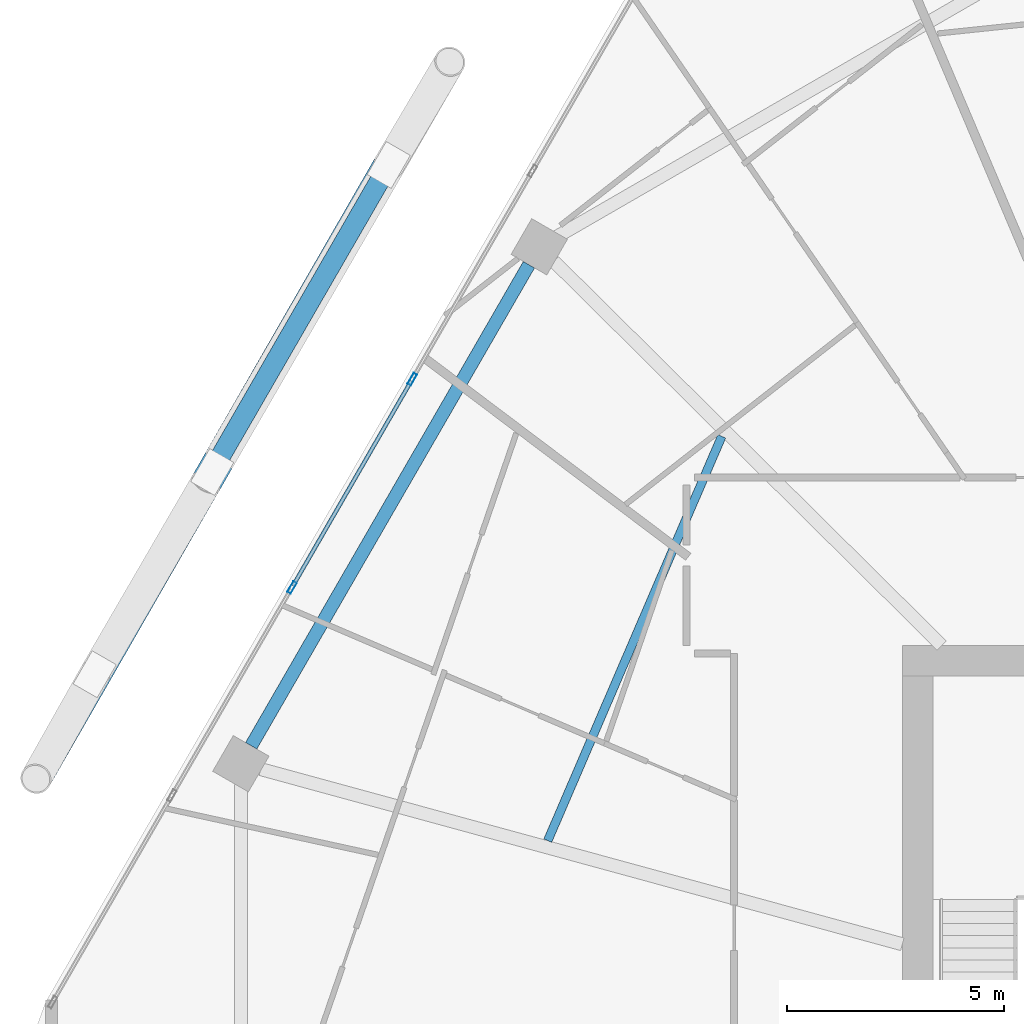
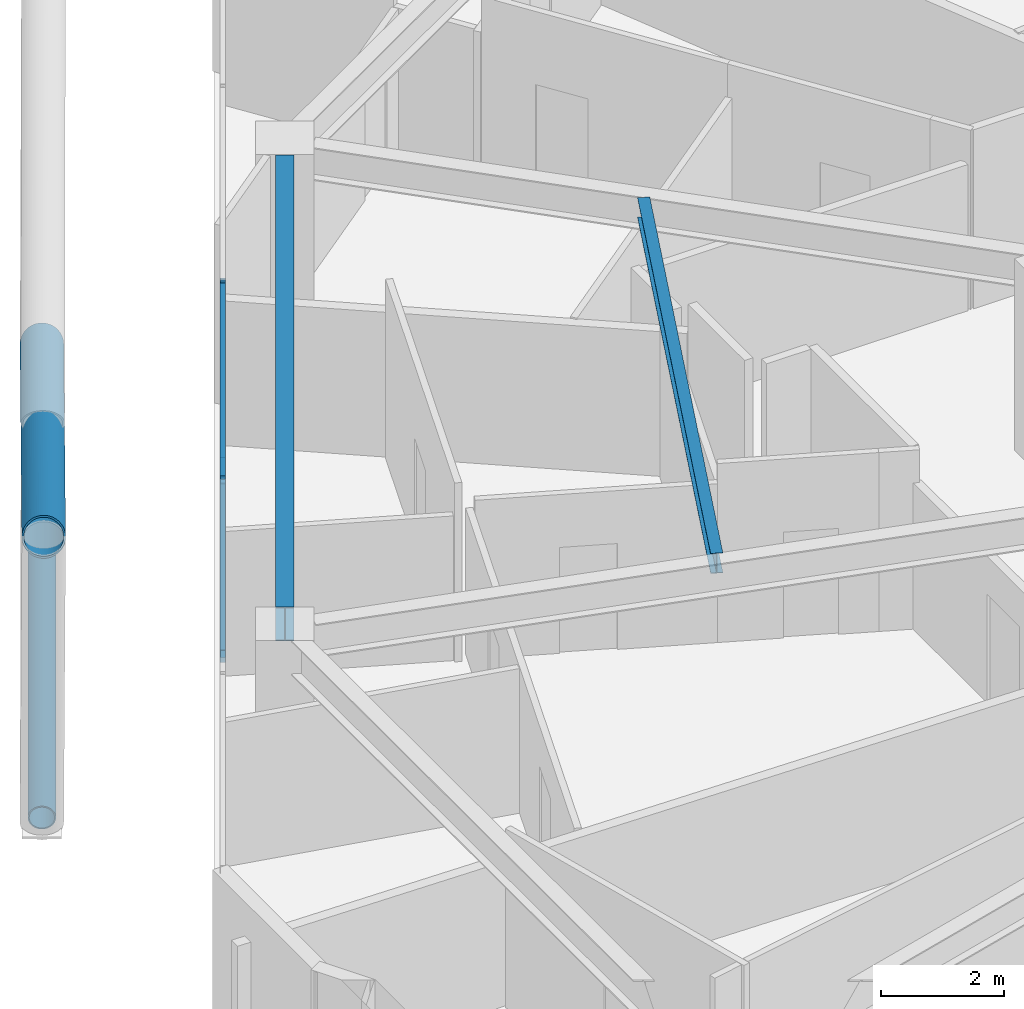
# One storey, part 11 of 27: 6 members, 2 beams, 1 element without a shape of its own.
"""IFC4 building model written with IfcOpenShell, lengths in metres."""

from ifc_helpers import new_model, si_unit, direction, frame, origin, origin_2d, place, context, subcontext, project, spatial, hollow_rectangle, hollow_circle, i_section, extrude, material, material_profile, profile_set, type_object, element, aggregate, save


model = new_model("IFC4")

# Units and contexts
model_context = context("Model", 3, precision=1e-05, world=origin(), true_north=direction((0.0, 1.0)))
body_context = subcontext(model_context, "Body", "Model", "MODEL_VIEW")
ifc_project = project(units=[si_unit("LENGTHUNIT", "METRE"), si_unit("AREAUNIT", "SQUARE_METRE"), si_unit("VOLUMEUNIT", "CUBIC_METRE"), si_unit("PLANEANGLEUNIT", "RADIAN"), si_unit("MASSUNIT", "GRAM", prefix="KILO")], contexts=[model_context])

# Site, building, storey
site_placement = place(None, origin())
site = spatial("IfcSite", under=ifc_project, at=site_placement, CompositionType="ELEMENT")
building_placement = place(site_placement, origin())
building = spatial("IfcBuilding", under=site, at=building_placement, Name="Zuhravey Tower", CompositionType="ELEMENT")
storey_placement = place(building_placement, frame((0.0, 0.0, 215.0)))
storey = spatial("IfcBuildingStorey", under=building, at=storey_placement, Name="L54", CompositionType="ELEMENT", Elevation=215.0)

# Curtain wall, members
ifc_material_1 = material(Name="Thermally broken anodised aluminium", Category="aluminium")
curtain_wall_type = type_object("IfcCurtainWallType", Name="Zone 1-2 Residential Curtain Wall CW3", PredefinedType="NOTDEFINED", material=ifc_material_1)
curtain_wall_placement = place(storey_placement, origin())
curtain_wall = element("IfcCurtainWall", 1, at=curtain_wall_placement, inside=storey, type_object=curtain_wall_type, Name="L54 CW3 CW-L54-F3-1", PredefinedType="NOTDEFINED")
ifc_material_2 = material(Name="Anodised aluminium", Category="aluminium")
ifc_material_profile_1 = material_profile(ifc_material_2, hollow_rectangle(XDim=0.090087890625, YDim=0.284912109375, WallThickness=0.0048828125, at=origin_2d()), Name="ALU-RHS-90x285x5")
ifc_profile_set_1 = profile_set([ifc_material_profile_1], Name="Anodised aluminium")
member_type_1 = type_object("IfcMemberType", Name="Curtain-Wall Mullion 90x180", PredefinedType="MULLION", material=ifc_profile_set_1)
member_1_placement = place(storey_placement, frame((11.07275390625, 43.190673828125, 0.0), z_axis=(0.0, 0.0, 1.0), x_axis=(-0.866025138215, 0.500000459979, 0.0)))
member_1 = element("IfcMember", 2, at=member_1_placement, type_object=member_type_1, Name="CW3 mullion 3", PredefinedType="MULLION", context=body_context, shape_type="SweptSolid", body=[
    extrude(hollow_rectangle(XDim=0.090087890625, YDim=0.284912109375, WallThickness=0.0048828125, at=origin_2d()), origin(), (0.0, 0.0, 1.0), 3.550048828125),
])
member_2_placement = place(storey_placement, frame((13.844970703125, 47.992431640625, 0.0), z_axis=(0.0, 0.0, 1.0), x_axis=(-0.866025138215, 0.500000459979, 0.0)))
member_2 = element("IfcMember", 3, at=member_2_placement, type_object=member_type_1, Name="CW3 mullion 4", PredefinedType="MULLION", context=body_context, shape_type="SweptSolid", body=[
    extrude(hollow_rectangle(XDim=0.090087890625, YDim=0.284912109375, WallThickness=0.0048828125, at=origin_2d()), origin(), (0.0, 0.0, 1.0), 3.550048828125),
])
ifc_material_profile_2 = material_profile(ifc_material_2, hollow_rectangle(XDim=0.090087890625, YDim=0.14990234375, WallThickness=0.0048828125, at=origin_2d()), Name="ALU-RHS-90x150x5")
ifc_profile_set_2 = profile_set([ifc_material_profile_2], Name="Anodised aluminium")
member_type_2 = type_object("IfcMemberType", Name="Curtain-Wall Transom 90x150", PredefinedType="USERDEFINED", material=ifc_profile_set_2)
member_3_placement = place(storey_placement, frame((11.09521484375, 43.229736328125, 0.044921875), z_axis=(0.499980763544, 0.866036509673, 0.0), x_axis=(-0.866036509673, 0.499980763544, 0.0)))
member_3 = element("IfcMember", 4, at=member_3_placement, type_object=member_type_2, Name="CW3 transom 3.1", ObjectType="TRANSOM", PredefinedType="USERDEFINED", context=body_context, shape_type="SweptSolid", body=[
    extrude(hollow_rectangle(XDim=0.090087890625, YDim=0.14990234375, WallThickness=0.0048828125, at=origin_2d()), origin(), (0.0, 0.0, 1.0), 5.454345703125),
])
member_4_placement = place(storey_placement, frame((11.09521484375, 43.229736328125, 3.5048828125), z_axis=(0.499980763544, 0.866036509673, 0.0), x_axis=(-0.866036509673, 0.499980763544, 0.0)))
member_4 = element("IfcMember", 5, at=member_4_placement, type_object=member_type_2, Name="CW3 transom 3.2", ObjectType="TRANSOM", PredefinedType="USERDEFINED", context=body_context, shape_type="SweptSolid", body=[
    extrude(hollow_rectangle(XDim=0.090087890625, YDim=0.14990234375, WallThickness=0.0048828125, at=origin_2d()), origin(), (0.0, 0.0, 1.0), 5.454345703125),
])
aggregate(curtain_wall, [member_1, member_2, member_3, member_4])

# Members
ifc_material_3 = material(Name="Steel SM355", Category="steel")
ifc_material_profile_3 = material_profile(ifc_material_3, hollow_circle(Radius=0.228515625, WallThickness=0.02197265625, at=origin_2d()), Name="CHS-457.2x22")
ifc_profile_set_3 = profile_set([ifc_material_profile_3], Name="Steel SM355")
member_type_3 = type_object("IfcMemberType", Name="Exoskeleton Ring Tie CHS457x22", PredefinedType="CHORD", material=ifc_profile_set_3)
member_5_placement = place(storey_placement, frame((13.233154296875, 52.812744140625, -0.464111328125), z_axis=(-0.499996131841, -0.866027637056, 0.0), x_axis=(0.866027637056, -0.499996131841, 0.0)))
element("IfcMember", 6, at=member_5_placement, inside=storey, type_object=member_type_3, Name="L54 Exoskeleton Face 3 Tie EXR1", PredefinedType="CHORD", context=body_context, shape_type="SweptSolid", body=[
    extrude(hollow_circle(Radius=0.228515625, WallThickness=0.02197265625, at=origin_2d()), origin(), (0.0, 0.0, 1.0), 13.28173828125),
])
ifc_material_4 = material(Name="Steel SM460", Category="steel")
ifc_material_profile_4 = material_profile(ifc_material_4, hollow_circle(Radius=0.355712890625, WallThickness=0.031982421875, at=origin_2d()), Name="CHS-711.2x32")
ifc_profile_set_4 = profile_set([ifc_material_profile_4], Name="Steel SM460")
member_type_4 = type_object("IfcMemberType", Name="Exoskeleton Zone 2 Diagrid CHS711x32", PredefinedType="BRACE", material=ifc_profile_set_4)
member_6_placement = place(storey_placement, frame((13.28173828125, 52.896728515625, -0.444091796875), z_axis=(-0.451899634466, -0.786036191222, 0.421822031738), x_axis=(0.866940223657, -0.498412127266, 0.0)))
element("IfcMember", 7, at=member_6_placement, inside=storey, type_object=member_type_4, Name="L54 Face 3 Diagrid Brace 2", PredefinedType="BRACE", context=body_context, shape_type="SweptSolid", body=[
    extrude(hollow_circle(Radius=0.355712890625, WallThickness=0.031982421875, at=origin_2d()), origin(), (0.0, 0.0, 1.0), 17.92236328125),
])

# Beams
ifc_material_profile_5 = material_profile(ifc_material_3, i_section(OverallWidth=0.300048828125, OverallDepth=0.679931640625, WebThickness=0.012939453125, FlangeThickness=0.02197265625, at=origin_2d()), Name="H-680x300x13x22")
ifc_profile_set_5 = profile_set([ifc_material_profile_5], Name="Steel SM355")
beam_type_1 = type_object("IfcBeamType", Name="Perimeter Ring Beam H680x300", PredefinedType="BEAM", material=ifc_profile_set_5)
beam_1_placement = place(storey_placement, frame((16.535400390625, 50.632568359375, 3.2099609375), z_axis=(-0.500003505699, -0.866023379758, 0.0), x_axis=(0.866023379758, -0.500003505699, 0.0)))
element("IfcBeam", 8, at=beam_1_placement, inside=storey, type_object=beam_type_1, Name="L54 PB2 BM-L54-PB-05", PredefinedType="BEAM", context=body_context, shape_type="SweptSolid", body=[
    extrude(i_section(OverallWidth=0.300048828125, OverallDepth=0.679931640625, WebThickness=0.012939453125, FlangeThickness=0.02197265625, at=origin_2d()), origin(), (0.0, 0.0, 1.0), 12.80810546875),
])
ifc_material_profile_6 = material_profile(ifc_material_3, i_section(OverallWidth=0.199951171875, OverallDepth=0.39990234375, WebThickness=0.008056640625, FlangeThickness=0.012939453125, at=origin_2d()), Name="H-400x200x8x13")
ifc_profile_set_6 = profile_set([ifc_material_profile_6], Name="Steel SM355")
beam_type_2 = type_object("IfcBeamType", Name="Secondary Floor Joist H400x200", PredefinedType="JOIST", material=ifc_profile_set_6)
beam_2_placement = place(storey_placement, frame((20.982421875, 46.676025390625, 3.35009765625), z_axis=(-0.395265853487, -0.918566766799, 0.0), x_axis=(0.918566766799, -0.395265853487, 0.0)))
element("IfcBeam", 9, at=beam_2_placement, inside=storey, type_object=beam_type_2, Name="L54 SJ2 BM-L54-SJ-05-1", PredefinedType="JOIST", context=body_context, shape_type="SweptSolid", body=[
    extrude(i_section(OverallWidth=0.199951171875, OverallDepth=0.39990234375, WebThickness=0.008056640625, FlangeThickness=0.012939453125, at=origin_2d()), origin(), (0.0, 0.0, 1.0), 10.150146484375),
])

save(model, "model.ifc")
